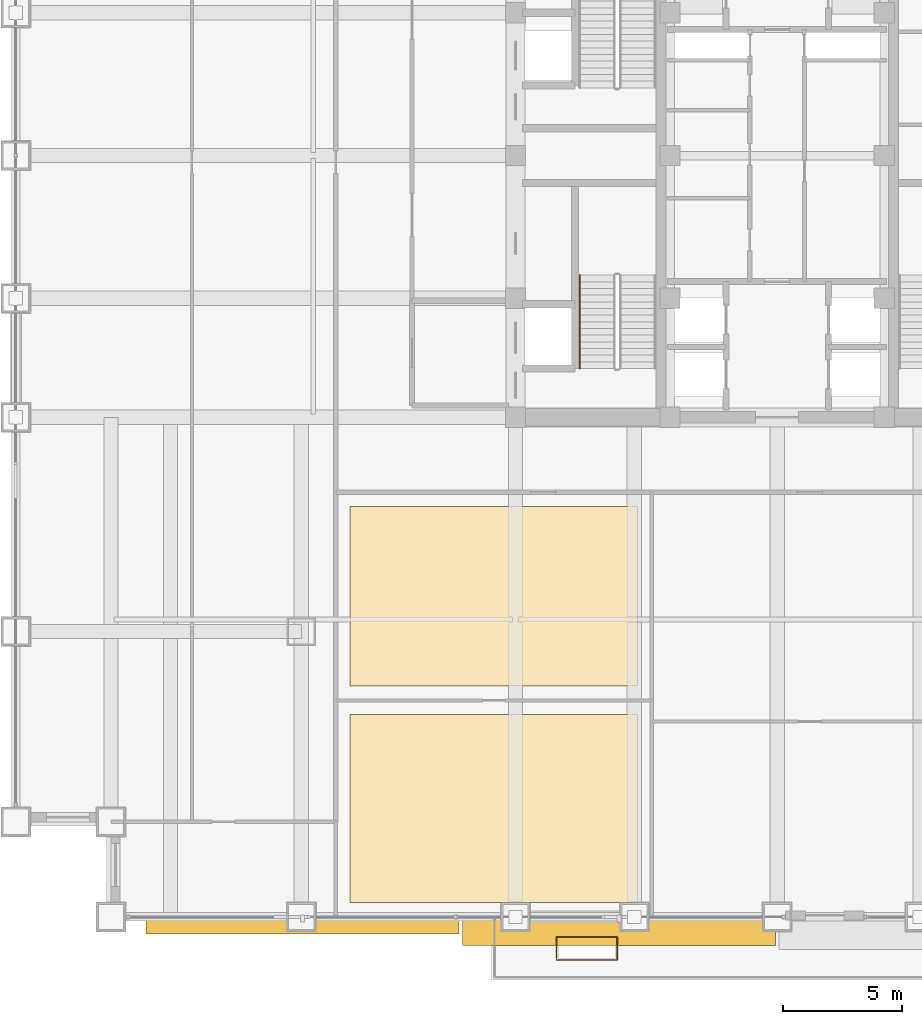
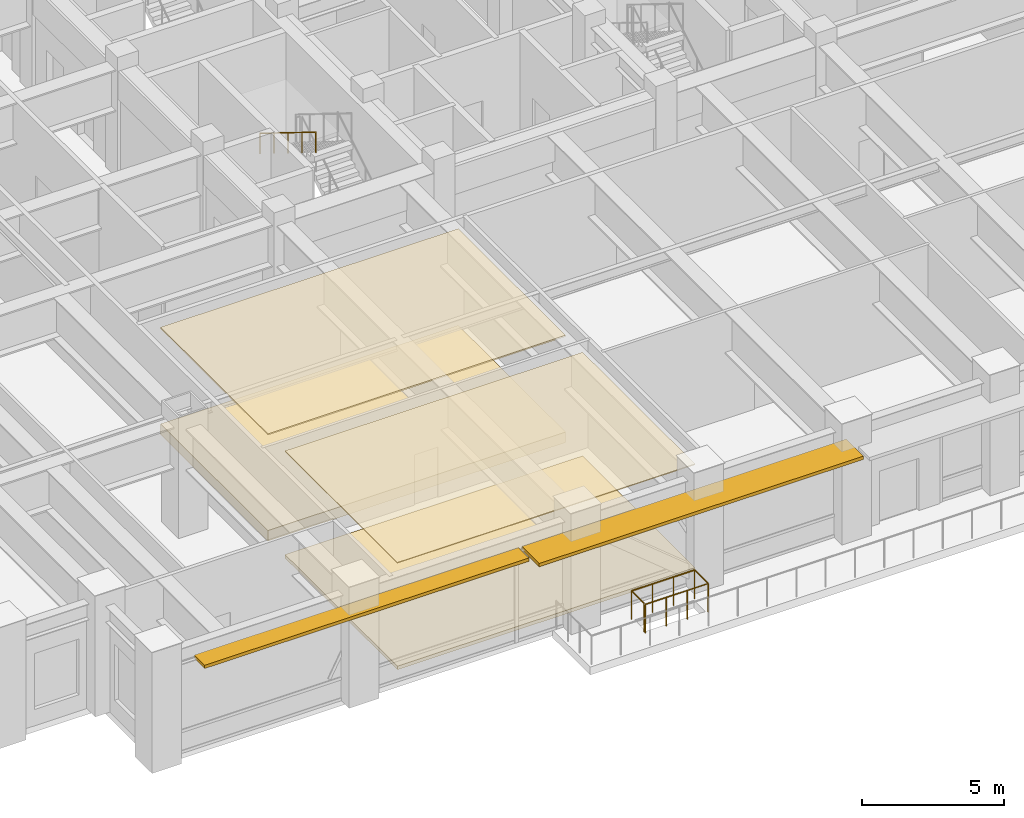
# One storey, part 29 of 34: 4 coverings, 2 railings, 2 shading devices.
"""IFC4 building model written with IfcOpenShell, lengths in metres."""

from ifc_helpers import new_model, si_unit, direction, frame, origin, origin_2d, place, context, subcontext, project, spatial, polyline, rectangle, circle, outline, extrude, source, transform, mapped, material, layer, layer_set, type_object, element, save


model = new_model("IFC4")

# Units and contexts
model_context = context("Model", 3, precision=1e-05, world=origin(), true_north=direction((0.0, 1.0)))
body_context = subcontext(model_context, "Body", "Model", "MODEL_VIEW")
ifc_project = project(units=[si_unit("LENGTHUNIT", "METRE"), si_unit("AREAUNIT", "SQUARE_METRE"), si_unit("VOLUMEUNIT", "CUBIC_METRE"), si_unit("PLANEANGLEUNIT", "RADIAN"), si_unit("MASSUNIT", "GRAM", prefix="KILO")], contexts=[model_context])

# Site, building, storey
site_placement = place(None, origin())
site = spatial("IfcSite", under=ifc_project, at=site_placement, CompositionType="ELEMENT")
building_placement = place(site_placement, origin())
building = spatial("IfcBuilding", under=site, at=building_placement, Name="Khorayat Bourse Tower", CompositionType="ELEMENT")
storey_placement = place(building_placement, frame((0.0, 0.0, 144.699951171875)))
storey = spatial("IfcBuildingStorey", under=building, at=storey_placement, Name="L33", CompositionType="ELEMENT", Elevation=144.699951171875)

# Coverings
ifc_material_1 = material(Name="Mineral fibre acoustic ceiling tile")
ifc_layer_1 = layer(ifc_material_1, 0.0400390625)
ifc_layer_set_1 = layer_set([ifc_layer_1], Name="Mineral fibre acoustic ceiling tile")
covering_type_1 = type_object("IfcCoveringType", Name="COV-CEIL-ACOUSTIC", PredefinedType="CEILING", material=ifc_layer_set_1)
covering_1_placement = place(storey_placement, frame((0.0, 0.0, 4.56005859375)))
element("IfcCovering", 1, at=covering_1_placement, inside=storey, type_object=covering_type_1, Name="L33 Suspended Ceiling 2", PredefinedType="CEILING", context=body_context, shape_type="SweptSolid", body=[
    extrude(outline(polyline([(-17.949951171875, -31.39990234375), (-5.867431640625, -31.39990234375), (-5.867431640625, -23.49658203125), (-17.949951171875, -23.49658203125), (-17.949951171875, -31.39990234375)])), origin(), (0.0, 0.0, 1.0), 0.0400390625),
])
ifc_material_2 = material(Name="Perforated aluminium acoustic ceiling", Category="aluminium")
ifc_layer_2 = layer(ifc_material_2, 0.06005859375)
ifc_layer_set_2 = layer_set([ifc_layer_2], Name="Perforated aluminium acoustic ceiling")
covering_type_2 = type_object("IfcCoveringType", Name="COV-CEIL-BAFFLE", PredefinedType="CEILING", material=ifc_layer_set_2)
covering_2_placement = place(storey_placement, frame((0.0, 0.0, 4.5400390625)))
element("IfcCovering", 2, at=covering_2_placement, inside=storey, type_object=covering_type_2, Name="L33 Suspended Ceiling 1", PredefinedType="CEILING", context=body_context, shape_type="SweptSolid", body=[
    extrude(outline(polyline([(-17.949951171875, -22.29638671875), (-5.867431640625, -22.29638671875), (-5.867431640625, -14.75), (-17.949951171875, -14.75), (-17.949951171875, -22.29638671875)])), origin(), (0.0, 0.0, 1.0), 0.06005859375),
])
ifc_material_3 = material(Name="Steel-encapsulated raised access floor", Category="steel")
ifc_layer_3 = layer(ifc_material_3, 0.14990234375)
ifc_layer_set_3 = layer_set([ifc_layer_3], Name="Steel-encapsulated raised access floor")
covering_type_3 = type_object("IfcCoveringType", Name="COV-RAF-OFFICE", PredefinedType="FLOORING", material=ifc_layer_set_3)
covering_3_placement = place(storey_placement, origin())
element("IfcCovering", 3, at=covering_3_placement, inside=storey, type_object=covering_type_3, Name="L33 Raised Access Floor 2", PredefinedType="FLOORING", context=body_context, shape_type="SweptSolid", body=[
    extrude(outline(polyline([(-17.949951171875, -31.39990234375), (-5.867431640625, -31.39990234375), (-5.867431640625, -23.49658203125), (-17.949951171875, -23.49658203125), (-17.949951171875, -31.39990234375)])), origin(), (0.0, 0.0, 1.0), 0.150146484375),
])
ifc_material_4 = material(Name="Calcium-sulphate raised access floor")
ifc_layer_4 = layer(ifc_material_4, 0.449951171875)
ifc_layer_set_4 = layer_set([ifc_layer_4], Name="Calcium-sulphate raised access floor")
covering_type_4 = type_object("IfcCoveringType", Name="COV-RAF-TRADING", PredefinedType="FLOORING", material=ifc_layer_set_4)
covering_4_placement = place(storey_placement, origin())
element("IfcCovering", 4, at=covering_4_placement, inside=storey, type_object=covering_type_4, Name="L33 Raised Access Floor 1", PredefinedType="FLOORING", context=body_context, shape_type="SweptSolid", body=[
    extrude(outline(polyline([(-17.949951171875, -22.29638671875), (-5.867431640625, -22.29638671875), (-5.867431640625, -14.75), (-17.949951171875, -14.75), (-17.949951171875, -22.29638671875)])), origin(), (0.0, 0.0, 1.0), 0.449951171875),
])

# Railing
ifc_material_5 = material(Name="Laminated glass and bronze balustrade", Category="glass")
railing_type_1 = type_object("IfcRailingType", Name="RLG-TERR-1250", PredefinedType="GUARDRAIL", material=ifc_material_5)
shared_shape_1 = source(origin(), body_context, "Body", "SweptSolid", [
    extrude(circle(Radius=0.02392578125, at=origin_2d()), frame((0.0, 0.0, 1.22607421875), z_axis=(1.0, 0.0, 0.0), x_axis=(0.0, 1.0, 0.0)), (0.0, 0.0, 1.0), 2.56005859375),
    extrude(circle(Radius=0.02392578125, at=origin_2d()), frame((2.56005859375, 0.0, 1.22607421875), z_axis=(0.0, 1.0, 0.0), x_axis=(-1.0, 0.0, 0.0)), (0.0, 0.0, 1.0), 0.9599609375),
    extrude(circle(Radius=0.02392578125, at=origin_2d()), frame((2.56005859375, 0.9599609375, 1.22607421875), z_axis=(-1.0, 0.0, 0.0), x_axis=(0.0, -1.0, 0.0)), (0.0, 0.0, 1.0), 2.56005859375),
    extrude(circle(Radius=0.02392578125, at=origin_2d()), frame((0.0, 0.9599609375, 1.22607421875), z_axis=(0.0, -1.0, 0.0), x_axis=(1.0, 0.0, 0.0)), (0.0, 0.0, 1.0), 0.880126953125),
    extrude(circle(Radius=0.02099609375, at=origin_2d()), origin(), (0.0, 0.0, 1.0), 1.201904296875),
    extrude(circle(Radius=0.02099609375, at=origin_2d()), frame((0.853271484375, 0.0, 0.0)), (0.0, 0.0, 1.0), 1.201904296875),
    extrude(circle(Radius=0.02099609375, at=origin_2d()), frame((1.706787109375, 0.0, 0.0)), (0.0, 0.0, 1.0), 1.201904296875),
    extrude(circle(Radius=0.02099609375, at=origin_2d()), frame((2.56005859375, 0.0, 0.0)), (0.0, 0.0, 1.0), 1.201904296875),
    extrude(circle(Radius=0.02099609375, at=origin_2d()), frame((2.56005859375, 0.9599609375, 0.0)), (0.0, 0.0, 1.0), 1.201904296875),
    extrude(circle(Radius=0.02099609375, at=origin_2d()), frame((1.706787109375, 0.9599609375, 0.0)), (0.0, 0.0, 1.0), 1.201904296875),
    extrude(circle(Radius=0.02099609375, at=origin_2d()), frame((0.853271484375, 0.9599609375, 0.0)), (0.0, 0.0, 1.0), 1.201904296875),
    extrude(circle(Radius=0.02099609375, at=origin_2d()), frame((0.0, 0.9599609375, 0.0)), (0.0, 0.0, 1.0), 1.201904296875),
    extrude(circle(Radius=0.02099609375, at=origin_2d()), frame((0.0, 0.079833984375, 0.0)), (0.0, 0.0, 1.0), 1.201904296875),
])
railing_1_placement = place(storey_placement, frame((-9.280029296875, -33.804931640625, 0.0)))
element("IfcRailing", 5, at=railing_1_placement, inside=storey, type_object=railing_type_1, Name="L33 Terrace Tree-Pit Guardrail 02", PredefinedType="GUARDRAIL", context=body_context, shape_type="MappedRepresentation", body=[
    mapped(shared_shape_1, transform((0.0, 0.0, 0.0), scale=1.0)),
])

# Shading devices
ifc_material_6 = material(Name="Precast concrete C45/55", Category="concrete")
ifc_layer_5 = layer(ifc_material_6, 0.139892578125)
ifc_layer_set_5 = layer_set([ifc_layer_5], Name="Precast concrete C45/55")
shading_device_type = type_object("IfcShadingDeviceType", Name="SHD-WAVE-TRAY-B", PredefinedType="USERDEFINED", material=ifc_layer_set_5)
shared_shape_2 = source(origin(), body_context, "Body", "SweptSolid", [
    extrude(rectangle(XDim=13.159912109375, YDim=0.734619140625, at=origin_2d()), origin(), (0.0, 0.0, 1.0), 0.139892578125),
])
shading_device_1_placement = place(storey_placement, frame((-19.949951171875, -32.347412109375, 3.85009765625), z_axis=(0.0, 0.0, 1.0), x_axis=(1.0, 0.0, 0.0)))
element("IfcShadingDevice", 6, at=shading_device_1_placement, inside=storey, type_object=shading_device_type, Name="L33 Sinusoidal Wave Sunshade Tray S-1", ObjectType="SUNSHADE", PredefinedType="USERDEFINED", context=body_context, shape_type="MappedRepresentation", body=[
    mapped(shared_shape_2, transform((0.0, 0.0, 0.0), scale=1.0)),
])
shared_shape_3 = source(origin(), body_context, "Body", "SweptSolid", [
    extrude(rectangle(XDim=13.159912109375, YDim=1.211669921875, at=origin_2d()), origin(), (0.0, 0.0, 1.0), 0.139892578125),
])
shading_device_2_placement = place(storey_placement, frame((-6.64990234375, -32.5859375, 3.85009765625), z_axis=(0.0, 0.0, 1.0), x_axis=(1.0, 0.0, 0.0)))
element("IfcShadingDevice", 7, at=shading_device_2_placement, inside=storey, type_object=shading_device_type, Name="L33 Sinusoidal Wave Sunshade Tray S-2", ObjectType="SUNSHADE", PredefinedType="USERDEFINED", context=body_context, shape_type="MappedRepresentation", body=[
    mapped(shared_shape_3, transform((0.0, 0.0, 0.0), scale=1.0)),
])

# Railing
ifc_material_7 = material(Name="Brushed bronze stainless-steel handrail", Category="steel")
railing_type_2 = type_object("IfcRailingType", Name="RLG-HAND-900", PredefinedType="HANDRAIL", material=ifc_material_7)
shared_shape_4 = source(origin(), body_context, "Body", "SweptSolid", [
    extrude(circle(Radius=0.02392578125, at=origin_2d()), frame((0.0, 0.0, 0.8759765625), z_axis=(0.0, -0.850275303828, 0.526338206574), x_axis=(1.0, 0.0, 0.0)), (0.0, 0.0, 1.0), 4.610107421875),
    extrude(circle(Radius=0.02099609375, at=origin_2d()), origin(), (0.0, 0.0, 1.0), 0.851806640625),
    extrude(circle(Radius=0.02099609375, at=origin_2d()), frame((0.0, -0.97998046875, 0.606689453125)), (0.0, 0.0, 1.0), 0.851806640625),
    extrude(circle(Radius=0.02099609375, at=origin_2d()), frame((0.0, -1.9599609375, 1.21337890625)), (0.0, 0.0, 1.0), 0.851806640625),
    extrude(circle(Radius=0.02099609375, at=origin_2d()), frame((0.0, -2.93994140625, 1.81982421875)), (0.0, 0.0, 1.0), 0.851806640625),
    extrude(circle(Radius=0.02099609375, at=origin_2d()), frame((0.0, -3.919921875, 2.426513671875)), (0.0, 0.0, 1.0), 0.851806640625),
])
railing_2_placement = place(storey_placement, frame((-8.300048828125, -5.030029296875, 2.7734375)))
element("IfcRailing", 8, at=railing_2_placement, inside=storey, type_object=railing_type_2, Name="L33 ST-1 stair handrail 2", PredefinedType="HANDRAIL", context=body_context, shape_type="MappedRepresentation", body=[
    mapped(shared_shape_4, transform((0.0, 0.0, 0.0), scale=1.0)),
])

save(model, "model.ifc")
